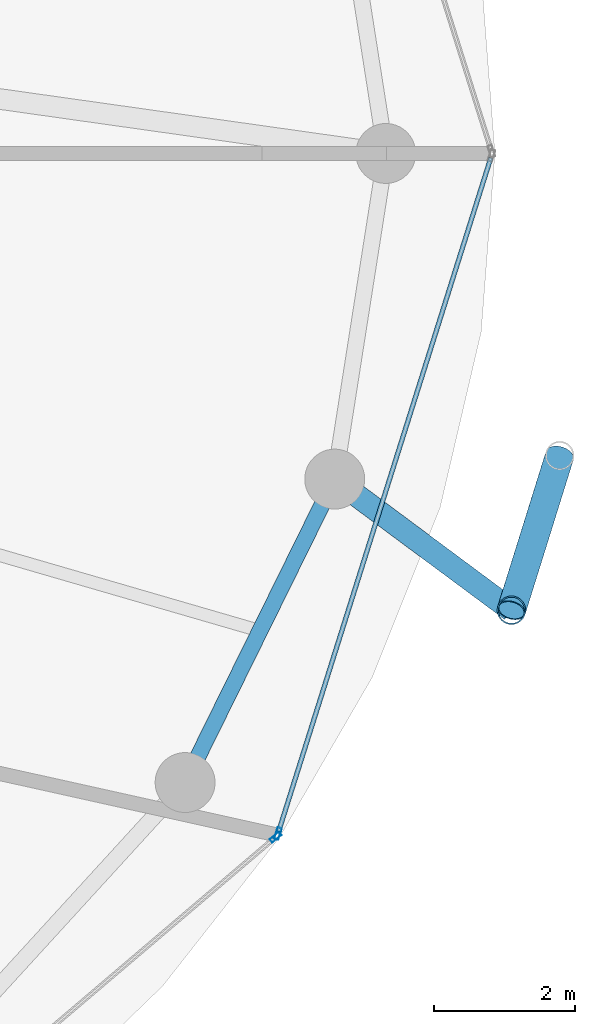
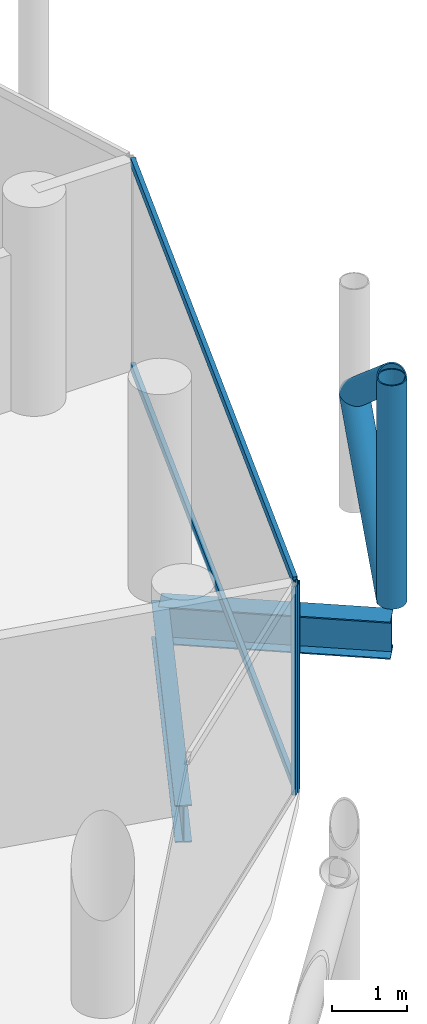
# One storey, part 13 of 27: 7 members, 2 beams, 2 elements without a shape of their own.
"""IFC4 building model written with IfcOpenShell, lengths in metres."""

from ifc_helpers import new_model, si_unit, direction, frame, origin, origin_2d, place, context, subcontext, project, spatial, hollow_rectangle, hollow_circle, i_section, extrude, material, layer, layer_set, material_profile, profile_set, type_object, element, aggregate, save


model = new_model("IFC4")

# Units and contexts
model_context = context("Model", 3, precision=1e-05, world=origin(), true_north=direction((0.0, 1.0)))
body_context = subcontext(model_context, "Body", "Model", "MODEL_VIEW")
ifc_project = project(units=[si_unit("LENGTHUNIT", "METRE"), si_unit("AREAUNIT", "SQUARE_METRE"), si_unit("VOLUMEUNIT", "CUBIC_METRE"), si_unit("PLANEANGLEUNIT", "RADIAN"), si_unit("MASSUNIT", "GRAM", prefix="KILO")], contexts=[model_context])

# Site, building, storey
site_placement = place(None, origin())
site = spatial("IfcSite", under=ifc_project, at=site_placement, CompositionType="ELEMENT")
building_placement = place(site_placement, origin())
building = spatial("IfcBuilding", under=site, at=building_placement, Name="Nuhasar Tower", CompositionType="ELEMENT")
storey_placement = place(building_placement, frame((0.0, 0.0, 237.35009765625)))
storey = spatial("IfcBuildingStorey", under=building, at=storey_placement, Name="L58", CompositionType="ELEMENT", Elevation=237.35009765625)

# Beams
ifc_material_1 = material(Name="Steel S355", Category="steel")
ifc_material_profile_1 = material_profile(ifc_material_1, i_section(OverallWidth=0.22802734375, OverallDepth=0.60791015625, WebThickness=0.01123046875, FlangeThickness=0.017333984375, at=origin_2d()), Name="W24X76")
ifc_profile_set_1 = profile_set([ifc_material_profile_1], Name="Steel S355")
beam_type_1 = type_object("IfcBeamType", Name="BM-RING-W24X76", PredefinedType="SPANDREL", material=ifc_profile_set_1)
beam_1_placement = place(storey_placement, frame((57.403076171875, 17.875, -0.544189453125), z_axis=(0.442262779282, 0.896885518928, 0.0), x_axis=(-0.896885518928, 0.442262779282, 0.0)))
element("IfcBeam", 1, at=beam_1_placement, inside=storey, type_object=beam_type_1, Name="L58 Perimeter Ring Spandrel 23", PredefinedType="SPANDREL", context=body_context, shape_type="SweptSolid", body=[
    extrude(i_section(OverallWidth=0.22802734375, OverallDepth=0.60791015625, WebThickness=0.01123046875, FlangeThickness=0.017333984375, at=origin_2d()), origin(), (0.0, 0.0, 1.0), 4.7998046875),
])
ifc_material_profile_2 = material_profile(ifc_material_1, i_section(OverallWidth=0.323974609375, OverallDepth=0.611083984375, WebThickness=0.0126953125, FlangeThickness=0.01904296875, at=origin_2d()), Name="W24X104")
ifc_profile_set_2 = profile_set([ifc_material_profile_2], Name="Steel S355")
beam_type_2 = type_object("IfcBeamType", Name="BM-TIE-W24X104", PredefinedType="BEAM", material=ifc_profile_set_2)
beam_2_placement = place(storey_placement, frame((59.52587890625, 22.179931640625, -0.545166015625), z_axis=(0.802983345014, -0.596001466131, 0.0), x_axis=(0.596001466131, 0.802983345014, 0.0)))
element("IfcBeam", 2, at=beam_2_placement, inside=storey, type_object=beam_type_2, Name="L58 Exoskeleton Node Tie Beam 12", PredefinedType="BEAM", context=body_context, shape_type="SweptSolid", body=[
    extrude(i_section(OverallWidth=0.323974609375, OverallDepth=0.611083984375, WebThickness=0.0126953125, FlangeThickness=0.01904296875, at=origin_2d()), origin(), (0.0, 0.0, 1.0), 3.122314453125),
])

# Curtain wall, member
ifc_material_2 = material(Name="Aluminium 6063-T6", Category="aluminium")
ifc_layer = layer(ifc_material_2, 0.18994140625)
ifc_layer_set = layer_set([ifc_layer], Name="Aluminium 6063-T6")
curtain_wall_type = type_object("IfcCurtainWallType", Name="CW-Z3-RES", PredefinedType="NOTDEFINED", material=ifc_layer_set)
curtain_wall_1_placement = place(storey_placement, origin())
curtain_wall_1 = element("IfcCurtainWall", 3, at=curtain_wall_1_placement, inside=storey, type_object=curtain_wall_type, Name="L58 Unitised Curtain Wall 11", PredefinedType="NOTDEFINED")
ifc_material_profile_3 = material_profile(ifc_material_2, hollow_rectangle(XDim=0.06494140625, YDim=0.169921875, WallThickness=0.0048828125, at=origin_2d()), Name="CWM-4")
ifc_profile_set_3 = profile_set([ifc_material_profile_3], Name="Aluminium 6063-T6")
member_type_1 = type_object("IfcMemberType", Name="CW-MUL-S4", PredefinedType="MULLION", material=ifc_profile_set_3)
member_1_placement = place(storey_placement, frame((58.686279296875, 17.098876953125, 0.0), z_axis=(0.0, 0.0, 1.0), x_axis=(-0.64789521578, 0.761729472562, 0.0)))
member_1 = element("IfcMember", 4, at=member_1_placement, type_object=member_type_1, Name="CW-Z3 mullion 2", PredefinedType="MULLION", context=body_context, shape_type="SweptSolid", body=[
    extrude(hollow_rectangle(XDim=0.06494140625, YDim=0.169921875, WallThickness=0.0048828125, at=origin_2d()), origin(), (0.0, 0.0, 1.0), 3.409912109375),
])
aggregate(curtain_wall_1, [member_1])

# Curtain wall, members
curtain_wall_2_placement = place(storey_placement, origin())
curtain_wall_2 = element("IfcCurtainWall", 5, at=curtain_wall_2_placement, inside=storey, type_object=curtain_wall_type, Name="L58 Unitised Curtain Wall 12", PredefinedType="NOTDEFINED")
member_2_placement = place(storey_placement, frame((58.720703125, 17.15087890625, 0.0), z_axis=(0.0, 0.0, 1.0), x_axis=(-0.95380429279, 0.30042864553, 0.0)))
member_2 = element("IfcMember", 6, at=member_2_placement, type_object=member_type_1, Name="CW-Z3 mullion 1", PredefinedType="MULLION", context=body_context, shape_type="SweptSolid", body=[
    extrude(hollow_rectangle(XDim=0.06494140625, YDim=0.169921875, WallThickness=0.0048828125, at=origin_2d()), origin(), (0.0, 0.0, 1.0), 3.409912109375),
])
ifc_material_profile_4 = material_profile(ifc_material_2, hollow_rectangle(XDim=0.06494140625, YDim=0.139892578125, WallThickness=0.00439453125, at=origin_2d()), Name="CWT-4")
ifc_profile_set_4 = profile_set([ifc_material_profile_4], Name="Aluminium 6063-T6")
member_type_2 = type_object("IfcMemberType", Name="CW-TRN-S4", PredefinedType="USERDEFINED", material=ifc_profile_set_4)
member_3_placement = place(storey_placement, frame((58.73046875, 17.181884765625, 0.032470703125), z_axis=(0.300430390604, 0.953803743126, 0.0), x_axis=(-0.953803743126, 0.300430390604, 0.0)))
member_3 = element("IfcMember", 7, at=member_3_placement, type_object=member_type_2, Name="CW-Z3 transom 1.1", ObjectType="TRANSOM", PredefinedType="USERDEFINED", context=body_context, shape_type="SweptSolid", body=[
    extrude(hollow_rectangle(XDim=0.06494140625, YDim=0.139892578125, WallThickness=0.00439453125, at=origin_2d()), origin(), (0.0, 0.0, 1.0), 10.01904296875),
])
member_4_placement = place(storey_placement, frame((58.73046875, 17.181884765625, 3.37744140625), z_axis=(0.300430390604, 0.953803743126, 0.0), x_axis=(-0.953803743126, 0.300430390604, 0.0)))
member_4 = element("IfcMember", 8, at=member_4_placement, type_object=member_type_2, Name="CW-Z3 transom 1.2", ObjectType="TRANSOM", PredefinedType="USERDEFINED", context=body_context, shape_type="SweptSolid", body=[
    extrude(hollow_rectangle(XDim=0.06494140625, YDim=0.139892578125, WallThickness=0.00439453125, at=origin_2d()), origin(), (0.0, 0.0, 1.0), 10.01904296875),
])
aggregate(curtain_wall_2, [member_2, member_3, member_4])

# Members
ifc_material_3 = material(Name="Steel S460", Category="steel")
ifc_material_profile_5 = material_profile(ifc_material_3, hollow_circle(Radius=0.203125, WallThickness=0.01904296875, at=origin_2d()), Name="HSS406.4X19.1")
ifc_profile_set_5 = profile_set([ifc_material_profile_5], Name="Steel S460")
member_type_3 = type_object("IfcMemberType", Name="EXO-BRONZE-406", PredefinedType="BRACE", material=ifc_profile_set_5)
member_5_placement = place(storey_placement, frame((62.032958984375, 20.319091796875, 0.0), z_axis=(0.0, 0.0, 1.0), x_axis=(1.0, 0.0, 0.0)))
element("IfcMember", 9, at=member_5_placement, inside=storey, type_object=member_type_3, Name="L58 Exoskeleton Chord Column EC-12A", PredefinedType="BRACE", context=body_context, shape_type="SweptSolid", body=[
    extrude(hollow_circle(Radius=0.203125, WallThickness=0.01904296875, at=origin_2d()), origin(), (0.0, 0.0, 1.0), 3.64990234375),
])
for number, where, z_axis, x_axis, name in (
    (10, (62.032958984375, 20.319091796875, 0.0), (0.233372423355, 0.747689980743, 0.621688832709), (-0.954581948223, 0.297948492404, 0.0), "L58 Bronze Diagrid Brace W1-12"),
    (11, (62.718017578125, 22.513916015625, 1.824951171875), (-0.233372423355, -0.747689980743, 0.621688832709), (0.954581948223, -0.297948492404, 0.0), "L58 Bronze Diagrid Brace W2-12"),
):
    element("IfcMember", number, at=place(storey_placement, frame(where, z_axis=z_axis, x_axis=x_axis)), inside=storey, type_object=member_type_3, Name=name, PredefinedType="BRACE", context=body_context, shape_type="SweptSolid", body=[
        extrude(hollow_circle(Radius=0.203125, WallThickness=0.01904296875, at=origin_2d()), origin(), (0.0, 0.0, 1.0), 2.935546875),
    ])

save(model, "model.ifc")
